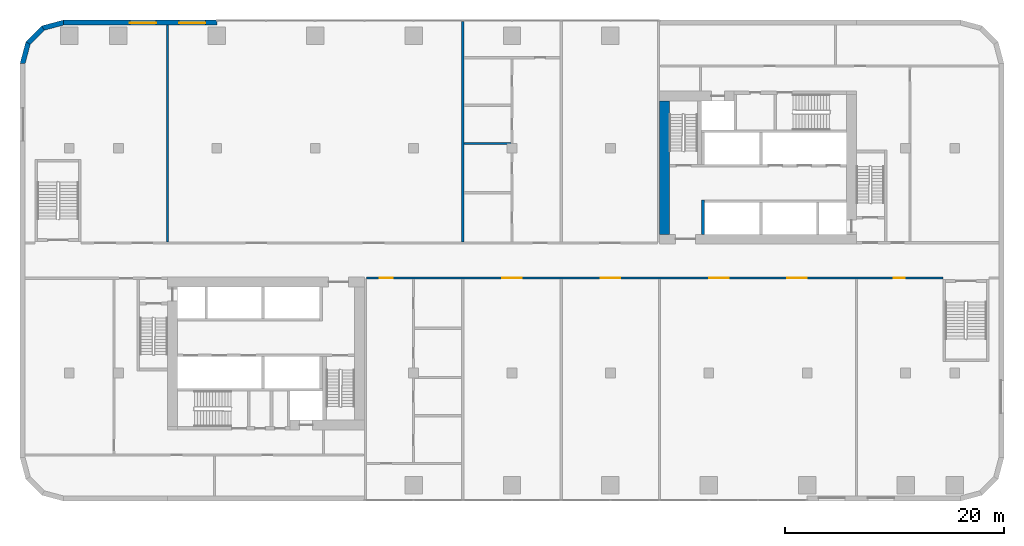
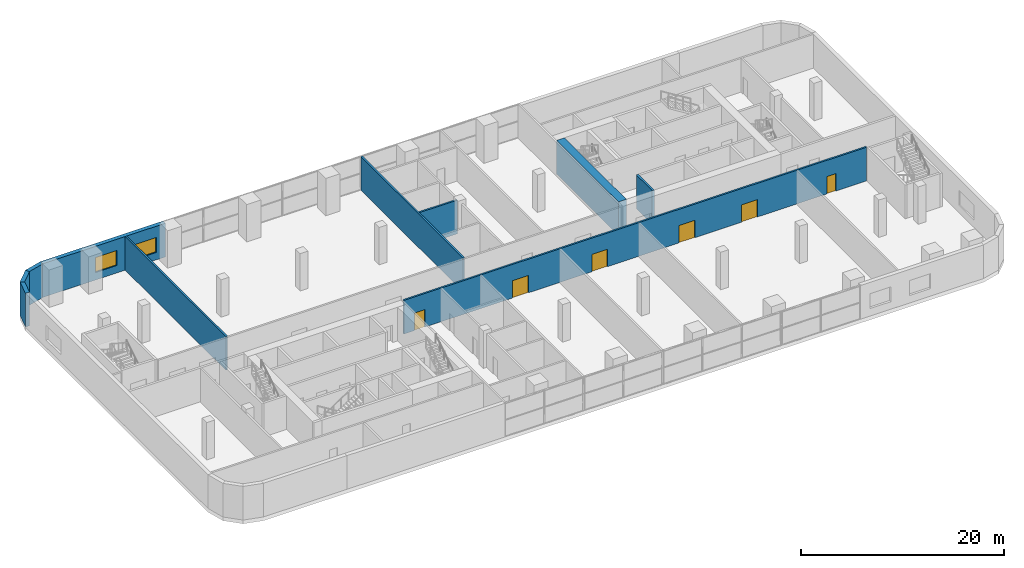
# One storey, part 9 of 19: 10 walls, 6 doors, 2 windows, 8 openings.
"""IFC4 building model written with IfcOpenShell, lengths in metres."""

from ifc_helpers import new_model, si_unit, direction, frame, frame_2d, origin, place, context, subcontext, project, spatial, polyline, rectangle, outline, extrude, material, layer, layer_set, type_object, element, fill, save


model = new_model("IFC4")

# Units and contexts
model_context = context("Model", 3, precision=1e-05, world=origin(), true_north=direction((0.0, 1.0)))
body_context = subcontext(model_context, "Body", "Model", "MODEL_VIEW")
ifc_project = project(units=[si_unit("LENGTHUNIT", "METRE"), si_unit("AREAUNIT", "SQUARE_METRE"), si_unit("VOLUMEUNIT", "CUBIC_METRE"), si_unit("PLANEANGLEUNIT", "RADIAN"), si_unit("MASSUNIT", "GRAM", prefix="KILO")], contexts=[model_context])

# Site, building, storey
site_placement = place(None, origin())
site = spatial("IfcSite", under=ifc_project, at=site_placement, CompositionType="ELEMENT")
building_placement = place(site_placement, origin())
building = spatial("IfcBuilding", under=site, at=building_placement, Name="Kajstack Hotel Tower", CompositionType="ELEMENT")
storey_placement = place(building_placement, frame((0.0, 0.0, 33.5)))
storey = spatial("IfcBuildingStorey", under=building, at=storey_placement, Name="L05", CompositionType="ELEMENT", Elevation=33.5)

# Wall
ifc_material_1 = material(Name="Concrete C60/75", Category="concrete")
ifc_layer_1 = layer(ifc_material_1, 0.89990234375)
ifc_layer_set_1 = layer_set([ifc_layer_1], Name="Core wall 900")
wall_type_1 = type_object("IfcWallType", Name="Core wall 900", PredefinedType="SHEAR", material=ifc_layer_set_1)
wall_1_placement = place(storey_placement, frame((13.949951171875, 2.39990234375, 0.0), z_axis=(0.0, 0.0, 1.0), x_axis=(0.0, 1.0, 0.0)))
element("IfcWall", 1, at=wall_1_placement, inside=storey, type_object=wall_type_1, Name="Core wall E RE", PredefinedType="SHEAR", context=body_context, shape_type="SweptSolid", body=[
    extrude(rectangle(XDim=12.2001953125, YDim=0.89990234375, at=frame_2d((6.10009765625, 0.0))), origin(), (0.0, 0.0, 1.0), 4.050048828125),
])

# Wall, openings, windows
ifc_material_2 = material(Name="Terracotta-faced brick masonry", Category="masonry")
ifc_layer_2 = layer(ifc_material_2, 0.449951171875)
ifc_layer_set_2 = layer_set([ifc_layer_2], Name="EW-TERRA")
wall_type_2 = type_object("IfcWallType", Name="EW-TERRA", PredefinedType="SOLIDWALL", material=ifc_layer_set_2)
wall_2_placement = place(storey_placement, frame((-27.0, 21.77490234375, 0.0), z_axis=(0.0, 0.0, 1.0), x_axis=(-1.0, 0.0, 0.0)))
wall_2 = element("IfcWall", 2, at=wall_2_placement, inside=storey, type_object=wall_type_2, Name="E-wall-L05-11-03", PredefinedType="SOLIDWALL", context=body_context, shape_type="SweptSolid", body=[
    extrude(rectangle(XDim=14.0, YDim=0.449951171875, at=frame_2d((7.0, 0.0))), origin(), (0.0, 0.0, 1.0), 4.050048828125),
])
opening_1_placement = place(wall_2_placement, frame((1.050048828125, 0.0, 0.89990234375)))
opening_1 = element("IfcOpeningElement", 3, at=opening_1_placement, cuts=wall_2, Name="Opening W4", PredefinedType="OPENING", context=body_context, shape_type="SweptSolid", body=[
    extrude(rectangle(XDim=2.39990234375, YDim=1.800048828125, at=frame_2d((1.199951171875, 0.89990234375))), frame((0.0, 0.23486328125, 0.0), z_axis=(0.0, -1.0, 0.0), x_axis=(1.0, 0.0, 0.0)), (0.0, 0.0, 1.0), 0.469970703125),
])
opening_2_placement = place(wall_2_placement, frame((5.550048828125, 0.0, 0.89990234375)))
opening_2 = element("IfcOpeningElement", 4, at=opening_2_placement, cuts=wall_2, Name="Opening W4", PredefinedType="OPENING", context=body_context, shape_type="SweptSolid", body=[
    extrude(rectangle(XDim=2.39990234375, YDim=1.800048828125, at=frame_2d((1.199951171875, 0.89990234375))), frame((0.0, 0.23486328125, 0.0), z_axis=(0.0, -1.0, 0.0), x_axis=(1.0, 0.0, 0.0)), (0.0, 0.0, 1.0), 0.469970703125),
])
ifc_material_3 = material(Name="Timber-aluminium window, triple glazed", Category="wood")
window_type = type_object("IfcWindowType", Name="WP1", PartitioningType="SINGLE_PANEL", PredefinedType="WINDOW", material=ifc_material_3)
window_1_placement = place(opening_1_placement, origin())
window_1 = element("IfcWindow", 5, at=window_1_placement, inside=storey, type_object=window_type, Name="Window W4 L05-11", OverallHeight=1.800048828125, OverallWidth=2.39990234375, PartitioningType="SINGLE_PANEL", PredefinedType="WINDOW", context=body_context, shape_type="SweptSolid", body=[
    extrude(rectangle(XDim=2.39990234375, YDim=1.800048828125, at=frame_2d((1.199951171875, 0.89990234375))), frame((0.0, 0.090087890625, 0.0), z_axis=(0.0, -1.0, 0.0), x_axis=(1.0, 0.0, 0.0)), (0.0, 0.0, 1.0), 0.06005859375),
])
fill(opening_1, window_1)
window_2_placement = place(opening_2_placement, origin())
window_2 = element("IfcWindow", 6, at=window_2_placement, inside=storey, type_object=window_type, Name="Window W4 L05-11", OverallHeight=1.800048828125, OverallWidth=2.39990234375, PartitioningType="SINGLE_PANEL", PredefinedType="WINDOW", context=body_context, shape_type="SweptSolid", body=[
    extrude(rectangle(XDim=2.39990234375, YDim=1.800048828125, at=frame_2d((1.199951171875, 0.89990234375))), frame((0.0, 0.090087890625, 0.0), z_axis=(0.0, -1.0, 0.0), x_axis=(1.0, 0.0, 0.0)), (0.0, 0.0, 1.0), 0.06005859375),
])
fill(opening_2, window_2)

# Walls
wall_3_placement = place(storey_placement, frame((-40.941650390625, 21.78271484375, 0.0), z_axis=(0.0, 0.0, 1.0), x_axis=(-0.965926999034, -0.25881466832, 0.0)))
element("IfcWall", 7, at=wall_3_placement, inside=storey, type_object=wall_type_2, Name="E-wall-L05-12-00", PredefinedType="SOLIDWALL", context=body_context, shape_type="SweptSolid", body=[
    extrude(outline(polyline([(0.000244140625, -0.22509765625), (2.070556640625, -0.224853515625), (1.9501953125, 0.22509765625), (0.12060546875, 0.22509765625), (0.000244140625, -0.22509765625)])), origin(), (0.0, 0.0, 1.0), 4.050048828125),
])
wall_4_placement = place(storey_placement, frame((-42.8408203125, 21.304931640625, 0.0), z_axis=(0.0, 0.0, 1.0), x_axis=(-0.707106781187, -0.707106781187, 0.0)))
element("IfcWall", 8, at=wall_4_placement, inside=storey, type_object=wall_type_2, Name="E-wall-L05-13-00", PredefinedType="SOLIDWALL", context=body_context, shape_type="SweptSolid", body=[
    extrude(outline(polyline([(0.0, -0.22509765625), (2.070556640625, -0.22509765625), (1.949951171875, 0.224853515625), (0.12060546875, 0.224853515625), (0.0, -0.22509765625)])), origin(), (0.0, 0.0, 1.0), 4.050048828125),
])
wall_5_placement = place(storey_placement, frame((-44.246826171875, 19.941650390625, 0.0), z_axis=(0.0, 0.0, 1.0), x_axis=(-0.25881466832, -0.965926999034, 0.0)))
element("IfcWall", 9, at=wall_5_placement, inside=storey, type_object=wall_type_2, Name="E-wall-L05-14-00", PredefinedType="SOLIDWALL", context=body_context, shape_type="SweptSolid", body=[
    extrude(outline(polyline([(-0.000244140625, -0.224853515625), (2.0703125, -0.22509765625), (1.949951171875, 0.22509765625), (0.120361328125, 0.22509765625), (-0.000244140625, -0.224853515625)])), origin(), (0.0, 0.0, 1.0), 4.050048828125),
])
ifc_material_4 = material(Name="Gypsum board on steel studs, mineral wool", Category="steel")
ifc_layer_3 = layer(ifc_material_4, 0.199951171875)
ifc_layer_set_3 = layer_set([ifc_layer_3], Name="Public partition 200")
wall_type_3 = type_object("IfcWallType", Name="Public partition 200", PredefinedType="PARTITIONING", material=ifc_layer_set_3)
wall_6_placement = place(storey_placement, frame((-4.39990234375, 10.699951171875, 0.0), z_axis=(0.0, 0.0, 1.0), x_axis=(1.0, 0.0, 0.0)))
element("IfcWall", 10, at=wall_6_placement, inside=storey, type_object=wall_type_3, Name="Partition C1wP1", PredefinedType="PARTITIONING", context=body_context, shape_type="SweptSolid", body=[
    extrude(rectangle(XDim=4.2998046875, YDim=0.199951171875, at=frame_2d((2.14990234375, 0.0))), origin(), (0.0, 0.0, 1.0), 4.050048828125),
])
wall_7_placement = place(storey_placement, frame((-4.5, 1.699951171875, 0.0), z_axis=(0.0, 0.0, 1.0), x_axis=(0.0, 1.0, 0.0)))
element("IfcWall", 11, at=wall_7_placement, inside=storey, type_object=wall_type_3, Name="Partition PX1", PredefinedType="PARTITIONING", context=body_context, shape_type="SweptSolid", body=[
    extrude(rectangle(XDim=20.150146484375, YDim=0.199951171875, at=frame_2d((10.0751953125, 0.0))), origin(), (0.0, 0.0, 1.0), 4.050048828125),
])
wall_8_placement = place(storey_placement, frame((-31.5, 1.699951171875, 0.0), z_axis=(0.0, 0.0, 1.0), x_axis=(0.0, 1.0, 0.0)))
element("IfcWall", 12, at=wall_8_placement, inside=storey, type_object=wall_type_3, Name="Partition PX2", PredefinedType="PARTITIONING", context=body_context, shape_type="SweptSolid", body=[
    extrude(rectangle(XDim=19.85009765625, YDim=0.199951171875, at=frame_2d((9.925048828125, 0.0))), origin(), (0.0, 0.0, 1.0), 4.050048828125),
])

# Wall, openings, doors
wall_9_placement = place(storey_placement, frame((-13.300048828125, -1.60009765625, 0.0), z_axis=(0.0, 0.0, 1.0), x_axis=(1.0, 0.0, 0.0)))
wall_9 = element("IfcWall", 13, at=wall_9_placement, inside=storey, type_object=wall_type_3, Name="Partition SFW", PredefinedType="PARTITIONING", context=body_context, shape_type="SweptSolid", body=[
    extrude(rectangle(XDim=52.699951171875, YDim=0.199951171875, at=frame_2d((26.35009765625, 0.0))), origin(), (0.0, 0.0, 1.0), 4.050048828125),
])
opening_3_placement = place(wall_9_placement, frame((1.199951171875, 0.0, 0.0)))
opening_3 = element("IfcOpeningElement", 14, at=opening_3_placement, cuts=wall_9, Name="Opening 05P12", PredefinedType="OPENING", context=body_context, shape_type="SweptSolid", body=[
    extrude(rectangle(XDim=1.199951171875, YDim=2.10009765625, at=frame_2d((0.60009765625, 1.050048828125))), frame((0.0, 0.10986328125, 0.0), z_axis=(0.0, -1.0, 0.0), x_axis=(1.0, 0.0, 0.0)), (0.0, 0.0, 1.0), 0.219970703125),
])
opening_4_placement = place(wall_9_placement, frame((12.39990234375, 0.0, 0.0)))
opening_4 = element("IfcOpeningElement", 15, at=opening_4_placement, cuts=wall_9, Name="Opening 05P18", PredefinedType="OPENING", context=body_context, shape_type="SweptSolid", body=[
    extrude(rectangle(XDim=1.800048828125, YDim=2.10009765625, at=frame_2d((0.89990234375, 1.050048828125))), frame((0.0, 0.10986328125, 0.0), z_axis=(0.0, -1.0, 0.0), x_axis=(1.0, 0.0, 0.0)), (0.0, 0.0, 1.0), 0.219970703125),
])
opening_5_placement = place(wall_9_placement, frame((21.39990234375, 0.0, 0.0)))
opening_5 = element("IfcOpeningElement", 16, at=opening_5_placement, cuts=wall_9, Name="Opening 05P19", PredefinedType="OPENING", context=body_context, shape_type="SweptSolid", body=[
    extrude(rectangle(XDim=1.800048828125, YDim=2.10009765625, at=frame_2d((0.89990234375, 1.050048828125))), frame((0.0, 0.10986328125, 0.0), z_axis=(0.0, -1.0, 0.0), x_axis=(1.0, 0.0, 0.0)), (0.0, 0.0, 1.0), 0.219970703125),
])
opening_6_placement = place(wall_9_placement, frame((31.340087890625, 0.0, 0.0)))
opening_6 = element("IfcOpeningElement", 17, at=opening_6_placement, cuts=wall_9, Name="Opening 05P20", PredefinedType="OPENING", context=body_context, shape_type="SweptSolid", body=[
    extrude(rectangle(XDim=1.800048828125, YDim=2.10009765625, at=frame_2d((0.89990234375, 1.050048828125))), frame((0.0, 0.10986328125, 0.0), z_axis=(0.0, -1.0, 0.0), x_axis=(1.0, 0.0, 0.0)), (0.0, 0.0, 1.0), 0.219970703125),
])
opening_7_placement = place(wall_9_placement, frame((38.4599609375, 0.0, 0.0)))
opening_7 = element("IfcOpeningElement", 18, at=opening_7_placement, cuts=wall_9, Name="Opening 05P21", PredefinedType="OPENING", context=body_context, shape_type="SweptSolid", body=[
    extrude(rectangle(XDim=1.800048828125, YDim=2.10009765625, at=frame_2d((0.89990234375, 1.050048828125))), frame((0.0, 0.10986328125, 0.0), z_axis=(0.0, -1.0, 0.0), x_axis=(1.0, 0.0, 0.0)), (0.0, 0.0, 1.0), 0.219970703125),
])
opening_8_placement = place(wall_9_placement, frame((48.199951171875, 0.0, 0.0)))
opening_8 = element("IfcOpeningElement", 19, at=opening_8_placement, cuts=wall_9, Name="Opening 05P22", PredefinedType="OPENING", context=body_context, shape_type="SweptSolid", body=[
    extrude(rectangle(XDim=1.0, YDim=2.10009765625, at=frame_2d((0.5, 1.050048828125))), frame((0.0, 0.10986328125, 0.0), z_axis=(0.0, -1.0, 0.0), x_axis=(1.0, 0.0, 0.0)), (0.0, 0.0, 1.0), 0.219970703125),
])
ifc_material_5 = material(Name="Timber leaf, fire-rated", Category="wood")
door_type_1 = type_object("IfcDoorType", Name="Public corridor door 1200", OperationType="SINGLE_SWING_LEFT", PredefinedType="DOOR", material=ifc_material_5)
door_1_placement = place(opening_3_placement, origin())
door_1 = element("IfcDoor", 20, at=door_1_placement, inside=storey, type_object=door_type_1, Name="Door 05P12", OperationType="SINGLE_SWING_RIGHT", OverallHeight=2.10009765625, OverallWidth=1.199951171875, PredefinedType="DOOR", context=body_context, shape_type="SweptSolid", body=[
    extrude(rectangle(XDim=1.199951171875, YDim=2.10009765625, at=frame_2d((0.60009765625, 1.050048828125))), frame((0.0, 0.02490234375, 0.0), z_axis=(0.0, -1.0, 0.0), x_axis=(1.0, 0.0, 0.0)), (0.0, 0.0, 1.0), 0.050048828125),
])
fill(opening_3, door_1)
ifc_material_6 = material(Name="Glazed timber frame, fire-rated glass", Category="wood")
door_type_2 = type_object("IfcDoorType", Name="Public double door 1800", OperationType="DOUBLE_DOOR_DOUBLE_SWING", PredefinedType="DOOR", material=ifc_material_6)
door_2_placement = place(opening_4_placement, origin())
door_2 = element("IfcDoor", 21, at=door_2_placement, inside=storey, type_object=door_type_2, Name="Door 05P18", OperationType="DOUBLE_DOOR_DOUBLE_SWING", OverallHeight=2.10009765625, OverallWidth=1.800048828125, PredefinedType="DOOR", context=body_context, shape_type="SweptSolid", body=[
    extrude(rectangle(XDim=1.800048828125, YDim=2.10009765625, at=frame_2d((0.89990234375, 1.050048828125))), frame((0.0, 0.02490234375, 0.0), z_axis=(0.0, -1.0, 0.0), x_axis=(1.0, 0.0, 0.0)), (0.0, 0.0, 1.0), 0.050048828125),
])
fill(opening_4, door_2)
door_3_placement = place(opening_5_placement, origin())
door_3 = element("IfcDoor", 22, at=door_3_placement, inside=storey, type_object=door_type_2, Name="Door 05P19", OperationType="DOUBLE_DOOR_DOUBLE_SWING", OverallHeight=2.10009765625, OverallWidth=1.800048828125, PredefinedType="DOOR", context=body_context, shape_type="SweptSolid", body=[
    extrude(rectangle(XDim=1.800048828125, YDim=2.10009765625, at=frame_2d((0.89990234375, 1.050048828125))), frame((0.0, 0.02490234375, 0.0), z_axis=(0.0, -1.0, 0.0), x_axis=(1.0, 0.0, 0.0)), (0.0, 0.0, 1.0), 0.050048828125),
])
fill(opening_5, door_3)
door_4_placement = place(opening_6_placement, origin())
door_4 = element("IfcDoor", 23, at=door_4_placement, inside=storey, type_object=door_type_2, Name="Door 05P20", OperationType="DOUBLE_DOOR_DOUBLE_SWING", OverallHeight=2.10009765625, OverallWidth=1.800048828125, PredefinedType="DOOR", context=body_context, shape_type="SweptSolid", body=[
    extrude(rectangle(XDim=1.800048828125, YDim=2.10009765625, at=frame_2d((0.89990234375, 1.050048828125))), frame((0.0, 0.02490234375, 0.0), z_axis=(0.0, -1.0, 0.0), x_axis=(1.0, 0.0, 0.0)), (0.0, 0.0, 1.0), 0.050048828125),
])
fill(opening_6, door_4)
door_5_placement = place(opening_7_placement, origin())
door_5 = element("IfcDoor", 24, at=door_5_placement, inside=storey, type_object=door_type_2, Name="Door 05P21", OperationType="DOUBLE_DOOR_DOUBLE_SWING", OverallHeight=2.10009765625, OverallWidth=1.800048828125, PredefinedType="DOOR", context=body_context, shape_type="SweptSolid", body=[
    extrude(rectangle(XDim=1.800048828125, YDim=2.10009765625, at=frame_2d((0.89990234375, 1.050048828125))), frame((0.0, 0.02490234375, 0.0), z_axis=(0.0, -1.0, 0.0), x_axis=(1.0, 0.0, 0.0)), (0.0, 0.0, 1.0), 0.050048828125),
])
fill(opening_7, door_5)
ifc_material_7 = material(Name="Timber leaf", Category="wood")
door_type_3 = type_object("IfcDoorType", Name="Public room door 1000", OperationType="SINGLE_SWING_LEFT", PredefinedType="DOOR", material=ifc_material_7)
door_6_placement = place(opening_8_placement, origin())
door_6 = element("IfcDoor", 25, at=door_6_placement, inside=storey, type_object=door_type_3, Name="Door 05P22", OperationType="SINGLE_SWING_RIGHT", OverallHeight=2.10009765625, OverallWidth=1.0, PredefinedType="DOOR", context=body_context, shape_type="SweptSolid", body=[
    extrude(rectangle(XDim=1.0, YDim=2.10009765625, at=frame_2d((0.5, 1.050048828125))), frame((0.0, 0.02490234375, 0.0), z_axis=(0.0, -1.0, 0.0), x_axis=(1.0, 0.0, 0.0)), (0.0, 0.0, 1.0), 0.050048828125),
])
fill(opening_8, door_6)

# Wall
ifc_material_8 = material(Name="Concrete C50/60", Category="concrete")
ifc_layer_4 = layer(ifc_material_8, 0.25)
ifc_layer_set_4 = layer_set([ifc_layer_4], Name="Shaft wall 250")
wall_type_4 = type_object("IfcWallType", Name="Shaft wall 250", PredefinedType="SHEAR", material=ifc_layer_set_4)
wall_10_placement = place(storey_placement, frame((17.47509765625, 2.39990234375, 0.0), z_axis=(0.0, 0.0, 1.0), x_axis=(0.0, 1.0, 0.0)))
element("IfcWall", 26, at=wall_10_placement, inside=storey, type_object=wall_type_4, Name="Core wall E AE", PredefinedType="SHEAR", context=body_context, shape_type="SweptSolid", body=[
    extrude(rectangle(XDim=3.150146484375, YDim=0.25, at=frame_2d((1.5751953125, 0.0))), origin(), (0.0, 0.0, 1.0), 4.050048828125),
])

save(model, "model.ifc")
